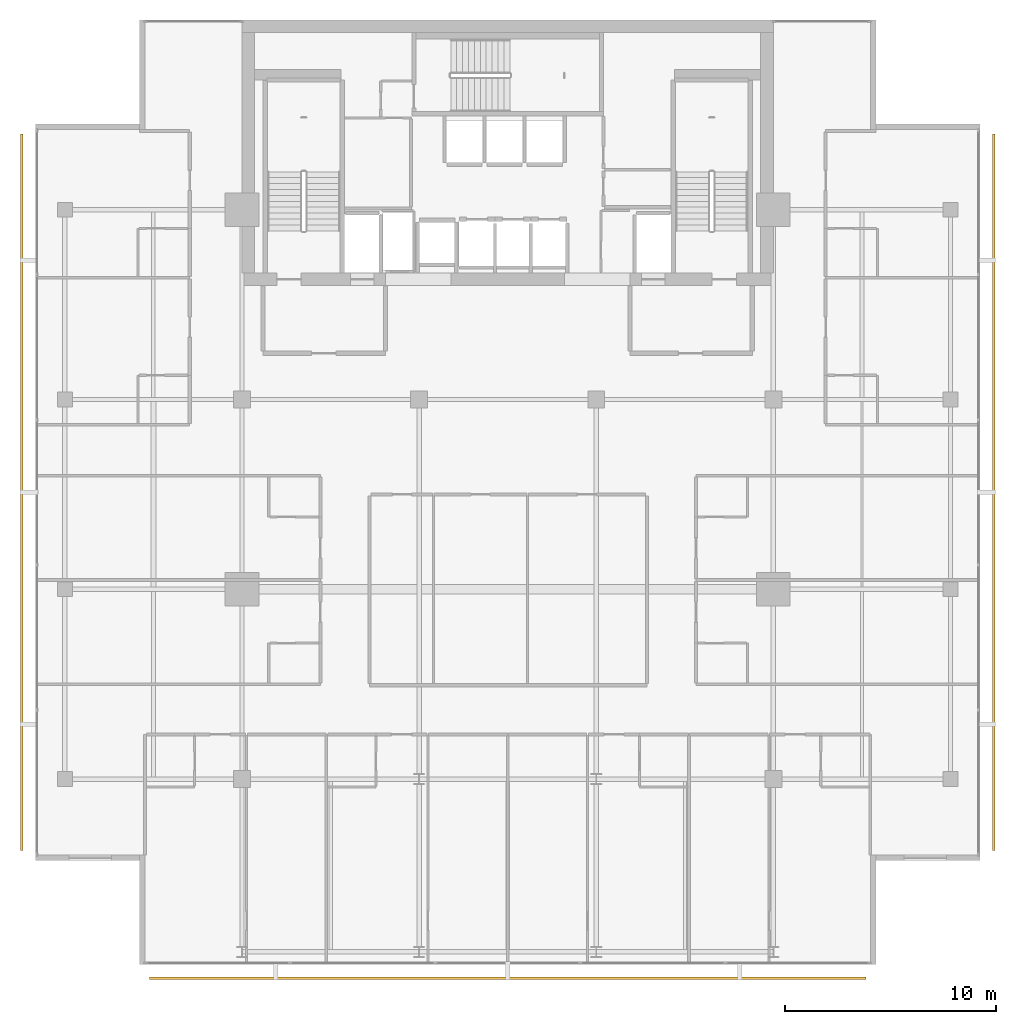
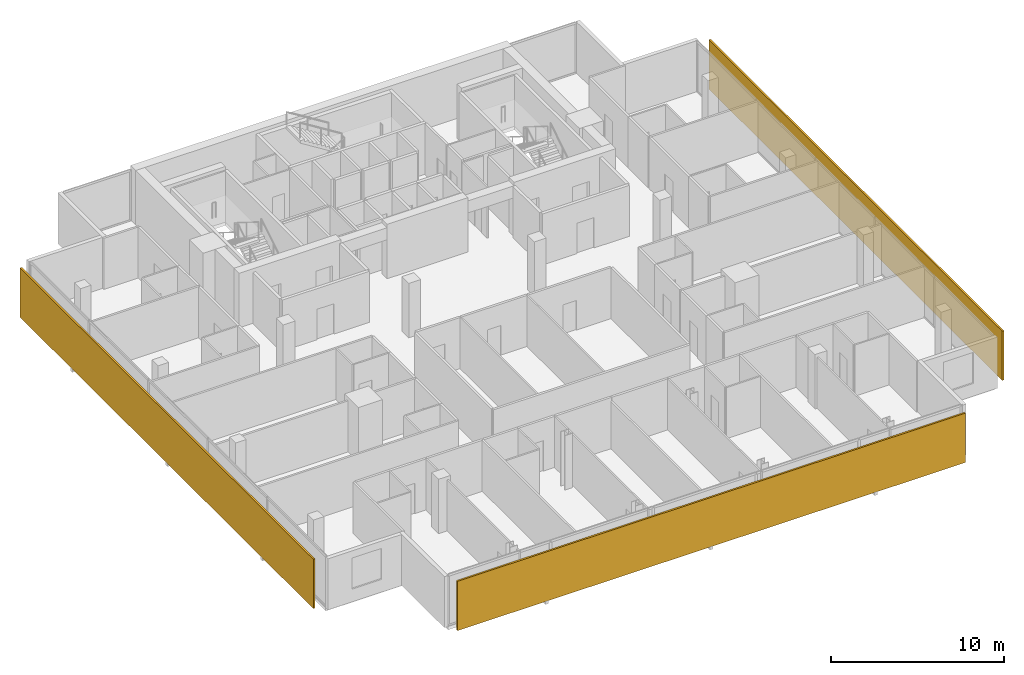
# One storey, part 24 of 25: 3 shading devices.
"""IFC4 building model written with IfcOpenShell, lengths in metres."""

from ifc_helpers import new_model, si_unit, direction, frame, origin, origin_2d, place, context, subcontext, project, spatial, rectangle, extrude, material, layer, layer_set, type_object, element, save


model = new_model("IFC4")

# Units and contexts
model_context = context("Model", 3, precision=1e-05, world=origin(), true_north=direction((0.0, 1.0)))
body_context = subcontext(model_context, "Body", "Model", "MODEL_VIEW")
ifc_project = project(units=[si_unit("LENGTHUNIT", "METRE"), si_unit("AREAUNIT", "SQUARE_METRE"), si_unit("VOLUMEUNIT", "CUBIC_METRE"), si_unit("PLANEANGLEUNIT", "RADIAN"), si_unit("MASSUNIT", "GRAM", prefix="KILO")], contexts=[model_context])

# Site, building, storey
site_placement = place(None, origin())
site = spatial("IfcSite", under=ifc_project, at=site_placement, CompositionType="ELEMENT")
building_placement = place(site_placement, origin())
building = spatial("IfcBuilding", under=site, at=building_placement, Name="Maruvema Waterfront Hotel and Observation Tower", CompositionType="ELEMENT")
storey_placement = place(building_placement, frame((0.0, 0.0, 250.949951171875)))
storey = spatial("IfcBuildingStorey", under=building, at=storey_placement, Name="L61", CompositionType="ELEMENT", Elevation=250.949951171875)

# Shading devices
ifc_material = material(Name="Honed travertine stone and anodised architectural bronze", Category="masonry")
ifc_layer = layer(ifc_material, 0.1201171875, Name="Ventilated Outer Skin Cobogo Stone-and-Bronze Screen 120 mm")
ifc_layer_set = layer_set([ifc_layer], Name="Honed travertine stone and anodised architectural bronze")
shading_device_type = type_object("IfcShadingDeviceType", Name="Ventilated Outer Skin Cobogo Stone-and-Bronze Screen 120 mm", PredefinedType="USERDEFINED", material=ifc_layer_set)
for number, where, z_axis, x_axis, name in (
    (1, (37.800048828125, 8.550048828125, 0.06005859375), (0.0, 0.0, 1.0), (1.0, 0.0, 0.0), "L61 Ventilated Double-Skin Outer Cobogo Screen OS-L61-S"),
    (2, (60.85009765625, 31.60009765625, 0.06005859375), (0.0, 0.0, 1.0), (0.0, 1.0, 0.0), "L61 Ventilated Double-Skin Outer Cobogo Screen OS-L61-E"),
    (3, (14.75, 31.60009765625, 0.06005859375), (0.0, 0.0, 1.0), (0.0, -1.0, 0.0), "L61 Ventilated Double-Skin Outer Cobogo Screen OS-L61-W"),
):
    element("IfcShadingDevice", number, at=place(storey_placement, frame(where, z_axis=z_axis, x_axis=x_axis)), inside=storey, type_object=shading_device_type, Name=name, ObjectType="OUTER SKIN SCREEN", PredefinedType="USERDEFINED", context=body_context, shape_type="SweptSolid", body=[
        extrude(rectangle(XDim=34.0, YDim=0.1201171875, at=origin_2d()), origin(), (0.0, 0.0, 1.0), 3.489990234375),
    ])

save(model, "model.ifc")
